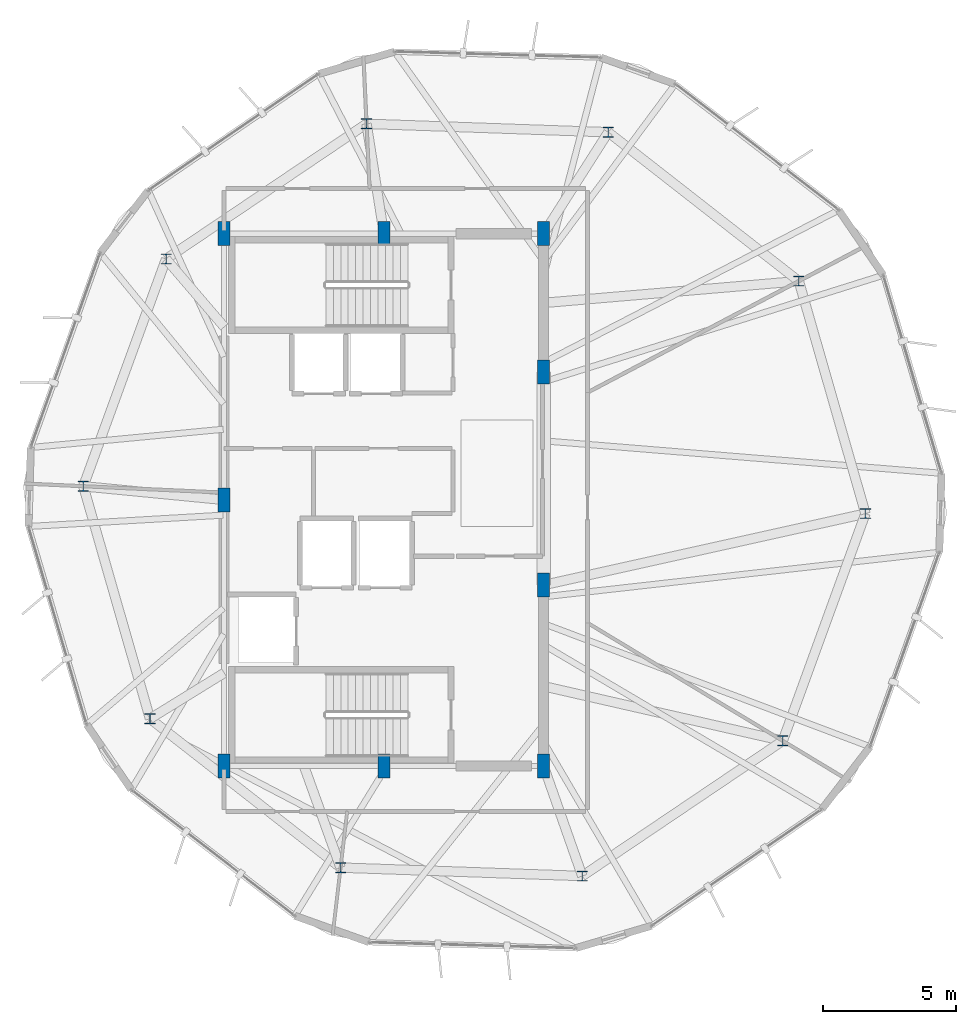
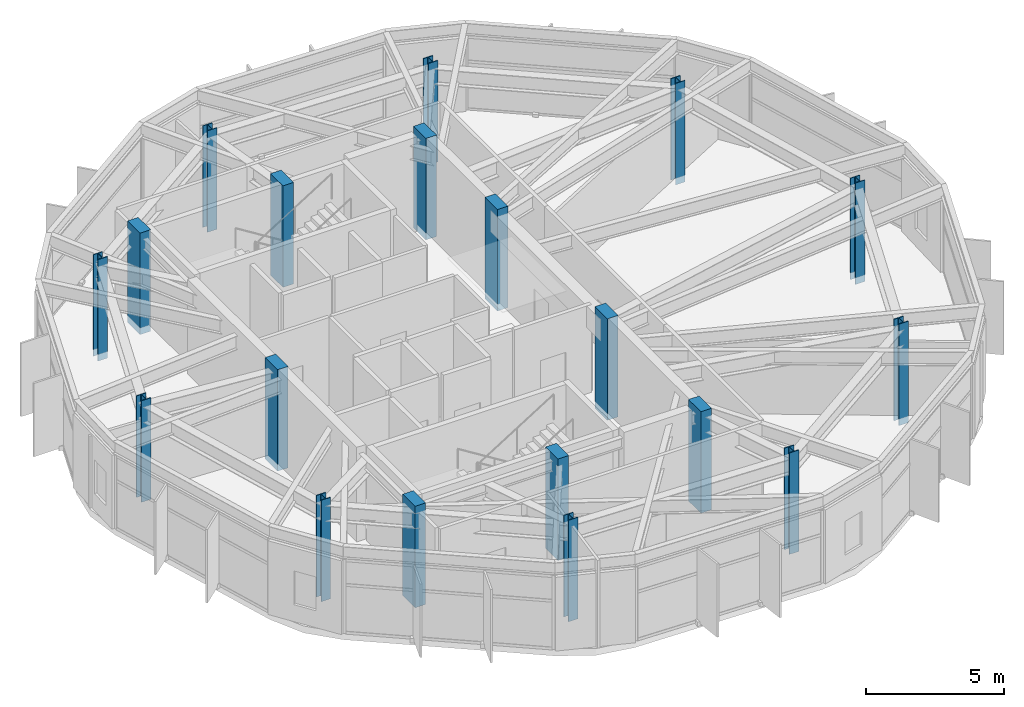
# One storey, part 1 of 20: 19 columns.
"""IFC4 building model written with IfcOpenShell, lengths in metres."""

from ifc_helpers import new_model, si_unit, direction, frame, origin, origin_2d, place, context, subcontext, project, spatial, rectangle, i_section, extrude, material, material_profile, profile_set, type_object, element, save


model = new_model("IFC4")

# Units and contexts
model_context = context("Model", 3, precision=1e-05, world=origin(), true_north=direction((0.0, 1.0)))
body_context = subcontext(model_context, "Body", "Model", "MODEL_VIEW")
ifc_project = project(units=[si_unit("LENGTHUNIT", "METRE"), si_unit("AREAUNIT", "SQUARE_METRE"), si_unit("VOLUMEUNIT", "CUBIC_METRE"), si_unit("PLANEANGLEUNIT", "RADIAN"), si_unit("MASSUNIT", "GRAM", prefix="KILO")], contexts=[model_context])

# Site, building, storey
site_placement = place(None, origin())
site = spatial("IfcSite", under=ifc_project, at=site_placement, CompositionType="ELEMENT")
building_placement = place(site_placement, origin())
building = spatial("IfcBuilding", under=site, at=building_placement, Name="Soratama Intermodal Tower", CompositionType="ELEMENT")
storey_placement = place(building_placement, frame((0.0, 0.0, 293.050048828125)))
storey = spatial("IfcBuildingStorey", under=building, at=storey_placement, Name="L74", CompositionType="ELEMENT", Elevation=293.050048828125)

# Columns
ifc_material_1 = material(Name="Structural steel ASTM A992 Grade 50", Category="steel")
ifc_material_profile_1 = material_profile(ifc_material_1, i_section(OverallWidth=0.39794921875, OverallDepth=0.386962890625, WebThickness=0.02099609375, FlangeThickness=0.033203125, FilletRadius=0.0380859375, at=origin_2d()), Name="W14X176")
ifc_profile_set_1 = profile_set([ifc_material_profile_1], Name="Structural steel ASTM A992 Grade 50")
column_type_1 = type_object("IfcColumnType", Name="COL-ZF-W14X176", PredefinedType="COLUMN", material=ifc_profile_set_1)
for number, where, z_axis, x_axis, name in (
    (1, (54.18701171875, 33.22021484375, -0.304931640625), (0.0, 0.0, 1.0), (1.0, 0.0, 0.0), "L74 Tower Ring Column R01"),
    (2, (47.027587890625, 38.8134765625, -0.304931640625), (0.0, 0.0, 1.0), (1.0, 0.0, 0.0), "L74 Tower Ring Column R02"),
    (3, (37.947998046875, 39.130615234375, -0.304931640625), (0.0, 0.0, 1.0), (1.0, 0.0, 0.0), "L74 Tower Ring Column R03"),
    (4, (30.416259765625, 34.05029296875, -0.304931640625), (0.0, 0.0, 1.0), (1.0, 0.0, 0.0), "L74 Tower Ring Column R04"),
    (5, (27.30908203125, 25.512939453125, -0.304931640625), (0.0, 0.0, 1.0), (1.0, 0.0, 0.0), "L74 Tower Ring Column R05"),
    (6, (29.81298828125, 16.77978515625, -0.304931640625), (0.0, 0.0, 1.0), (1.0, 0.0, 0.0), "L74 Tower Ring Column R06"),
    (7, (36.972412109375, 11.1865234375, -0.304931640625), (0.0, 0.0, 1.0), (1.0, 0.0, 0.0), "L74 Tower Ring Column R07"),
    (8, (46.052001953125, 10.869384765625, -0.304931640625), (0.0, 0.0, 1.0), (1.0, 0.0, 0.0), "L74 Tower Ring Column R08"),
    (9, (53.583740234375, 15.94970703125, -0.304931640625), (0.0, 0.0, 1.0), (1.0, 0.0, 0.0), "L74 Tower Ring Column R09"),
    (10, (56.69091796875, 24.487060546875, -0.304931640625), (0.0, 0.0, 1.0), (1.0, 0.0, 0.0), "L74 Tower Ring Column R10"),
):
    element("IfcColumn", number, at=place(storey_placement, frame(where, z_axis=z_axis, x_axis=x_axis)), inside=storey, type_object=column_type_1, Name=name, PredefinedType="COLUMN", context=body_context, shape_type="SweptSolid", body=[
        extrude(i_section(OverallWidth=0.39794921875, OverallDepth=0.386962890625, WebThickness=0.02099609375, FlangeThickness=0.033203125, FilletRadius=0.0380859375, at=origin_2d()), origin(), (0.0, 0.0, 1.0), 4.5048828125),
    ])
ifc_material_2 = material(Name="Concrete f'c 56 MPa", Category="concrete")
ifc_material_profile_2 = material_profile(ifc_material_2, rectangle(XDim=0.449951171875, YDim=0.89990234375, at=origin_2d()), Name="RC450X900")
ifc_profile_set_2 = profile_set([ifc_material_profile_2], Name="Concrete f'c 56 MPa")
column_type_2 = type_object("IfcColumnType", Name="PIL-CORE-450X900", PredefinedType="PILASTER", material=ifc_profile_set_2)
for number, where, z_axis, x_axis, name in (
    (11, (32.60009765625, 15.0, -0.304931640625), (0.0, 0.0, 1.0), (1.0, 0.0, 0.0), "L74 Core Pilaster 1"),
    (12, (32.60009765625, 25.0, -0.304931640625), (0.0, 0.0, 1.0), (1.0, 0.0, 0.0), "L74 Core Pilaster 2"),
    (13, (32.60009765625, 35.0, -0.304931640625), (0.0, 0.0, 1.0), (1.0, 0.0, 0.0), "L74 Core Pilaster 3"),
    (14, (38.60009765625, 15.0, -0.304931640625), (0.0, 0.0, 1.0), (1.0, 0.0, 0.0), "L74 Core Pilaster 4"),
    (15, (38.60009765625, 35.0, -0.304931640625), (0.0, 0.0, 1.0), (1.0, 0.0, 0.0), "L74 Core Pilaster 5"),
    (16, (44.60009765625, 15.0, -0.304931640625), (0.0, 0.0, 1.0), (1.0, 0.0, 0.0), "L74 Core Pilaster 6"),
    (17, (44.60009765625, 21.800048828125, -0.304931640625), (0.0, 0.0, 1.0), (1.0, 0.0, 0.0), "L74 Core Pilaster 7"),
    (18, (44.60009765625, 29.800048828125, -0.304931640625), (0.0, 0.0, 1.0), (1.0, 0.0, 0.0), "L74 Core Pilaster 8"),
    (19, (44.60009765625, 35.0, -0.304931640625), (0.0, 0.0, 1.0), (1.0, 0.0, 0.0), "L74 Core Pilaster 9"),
):
    element("IfcColumn", number, at=place(storey_placement, frame(where, z_axis=z_axis, x_axis=x_axis)), inside=storey, type_object=column_type_2, Name=name, PredefinedType="PILASTER", context=body_context, shape_type="SweptSolid", body=[
        extrude(rectangle(XDim=0.449951171875, YDim=0.89990234375, at=origin_2d()), origin(), (0.0, 0.0, 1.0), 4.5048828125),
    ])

save(model, "model.ifc")
